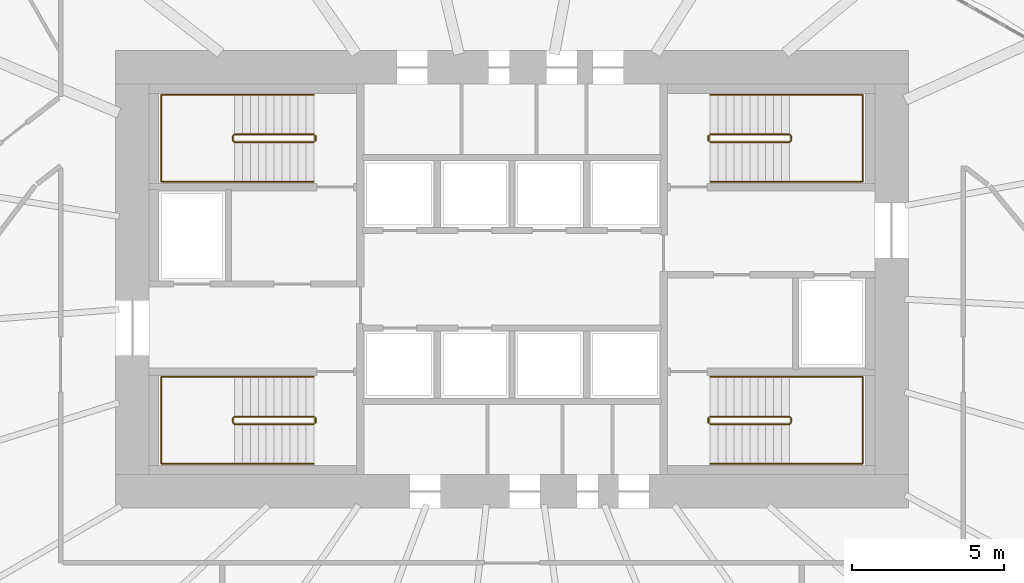
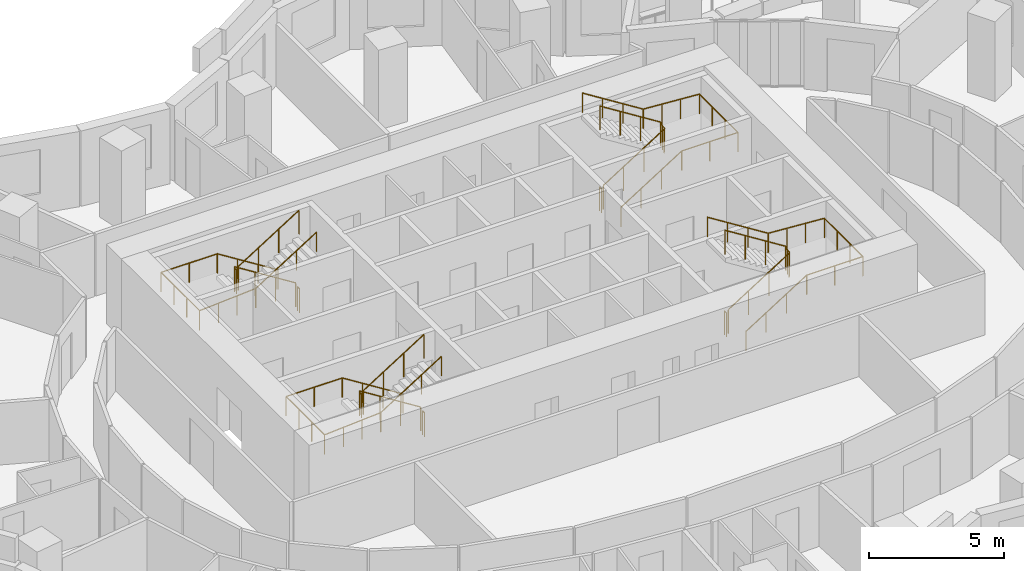
# One storey, part 13 of 14: 12 railings.
"""IFC4 building model written with IfcOpenShell, lengths in metres."""

from ifc_helpers import new_model, si_unit, direction, frame, origin, origin_2d, place, context, subcontext, project, spatial, circle, extrude, material, type_object, element, save


model = new_model("IFC4")

# Units and contexts
model_context = context("Model", 3, precision=1e-05, world=origin(), true_north=direction((0.0, 1.0)))
body_context = subcontext(model_context, "Body", "Model", "MODEL_VIEW")
ifc_project = project(units=[si_unit("LENGTHUNIT", "METRE"), si_unit("AREAUNIT", "SQUARE_METRE"), si_unit("VOLUMEUNIT", "CUBIC_METRE"), si_unit("PLANEANGLEUNIT", "RADIAN"), si_unit("MASSUNIT", "GRAM", prefix="KILO")], contexts=[model_context])

# Site, building, storey
site_placement = place(None, origin())
site = spatial("IfcSite", under=ifc_project, at=site_placement, CompositionType="ELEMENT")
building_placement = place(site_placement, origin())
building = spatial("IfcBuilding", under=site, at=building_placement, Name="Rubra Terraces Tower", CompositionType="ELEMENT")
storey_placement = place(building_placement, frame((0.0, 0.0, 103.199951171875)))
storey = spatial("IfcBuildingStorey", under=building, at=storey_placement, Name="L24", CompositionType="ELEMENT", Elevation=103.199951171875)

# Railings
ifc_material = material(Name="Stainless steel", Category="steel")
railing_type_1 = type_object("IfcRailingType", Name="Core stair guard 1100", PredefinedType="GUARDRAIL", material=ifc_material)
railing_1_placement = place(storey_placement, frame((-6.5, 0.0, 0.16357421875)))
element("IfcRailing", 1, at=railing_1_placement, inside=storey, type_object=railing_type_1, Name="L24 stair S1 guard 1", PredefinedType="GUARDRAIL", context=body_context, shape_type="SweptSolid", body=[
    extrude(circle(Radius=0.02392578125, at=origin_2d()), frame((0.0, 0.0, 1.076171875), z_axis=(-0.846324394277, 0.0, 0.532667832379), x_axis=(0.0, -1.0, 0.0)), (0.0, 0.0, 1.0), 3.072265625),
    extrude(circle(Radius=0.02392578125, at=origin_2d()), frame((-2.60009765625, 0.0, 2.71240234375), z_axis=(-0.705375805398, -0.708833529934, 0.0), x_axis=(0.708833529934, -0.705375805398, 0.0)), (0.0, 0.0, 1.0), 0.070556640625),
    extrude(circle(Radius=0.02392578125, at=origin_2d()), frame((-2.64990234375, -0.050048828125, 2.71240234375), z_axis=(0.0, -1.0, 0.0), x_axis=(1.0, 0.0, 0.0)), (0.0, 0.0, 1.0), 0.14990234375),
    extrude(circle(Radius=0.02392578125, at=origin_2d()), frame((-2.64990234375, -0.199951171875, 2.71240234375), z_axis=(0.279546231943, -0.280916556609, 0.91811752648), x_axis=(0.708833529934, 0.705375805398, 0.0)), (0.0, 0.0, 1.0), 0.17822265625),
    extrude(circle(Radius=0.02392578125, at=origin_2d()), frame((-2.60009765625, -0.25, 2.8759765625), z_axis=(0.846324394277, 0.0, 0.532667832379), x_axis=(0.0, 1.0, 0.0)), (0.0, 0.0, 1.0), 3.072265625),
    extrude(circle(Radius=0.02099609375, at=origin_2d()), origin(), (0.0, 0.0, 1.0), 1.052001953125),
    extrude(circle(Radius=0.02099609375, at=origin_2d()), frame((-0.86669921875, 0.0, 0.54541015625)), (0.0, 0.0, 1.0), 1.052001953125),
    extrude(circle(Radius=0.02099609375, at=origin_2d()), frame((-1.7333984375, 0.0, 1.091064453125)), (0.0, 0.0, 1.0), 1.052001953125),
    extrude(circle(Radius=0.02099609375, at=origin_2d()), frame((-2.60009765625, 0.0, 1.636474609375)), (0.0, 0.0, 1.0), 1.052001953125),
    extrude(circle(Radius=0.02099609375, at=origin_2d()), frame((-2.64990234375, -0.050048828125, 1.636474609375)), (0.0, 0.0, 1.0), 1.052001953125),
    extrude(circle(Radius=0.02099609375, at=origin_2d()), frame((-2.64990234375, -0.199951171875, 1.636474609375)), (0.0, 0.0, 1.0), 1.052001953125),
    extrude(circle(Radius=0.02099609375, at=origin_2d()), frame((-2.60009765625, -0.25, 1.800048828125)), (0.0, 0.0, 1.0), 1.052001953125),
    extrude(circle(Radius=0.02099609375, at=origin_2d()), frame((-1.7333984375, -0.25, 2.345458984375)), (0.0, 0.0, 1.0), 1.052001953125),
    extrude(circle(Radius=0.02099609375, at=origin_2d()), frame((-0.86669921875, -0.25, 2.89111328125)), (0.0, 0.0, 1.0), 1.052001953125),
    extrude(circle(Radius=0.02099609375, at=origin_2d()), frame((0.0, -0.25, 3.4365234375)), (0.0, 0.0, 1.0), 1.052001953125),
])
railing_2_placement = place(storey_placement, frame((-6.449951171875, -0.050048828125, 0.0)))
element("IfcRailing", 2, at=railing_2_placement, inside=storey, type_object=railing_type_1, Name="L24 stair S1 guard 2", PredefinedType="GUARDRAIL", context=body_context, shape_type="SweptSolid", body=[
    extrude(circle(Radius=0.02392578125, at=origin_2d()), frame((0.0, 0.0, 1.076171875), z_axis=(0.0, -1.0, 0.0), x_axis=(1.0, 0.0, 0.0)), (0.0, 0.0, 1.0), 0.14990234375),
    extrude(circle(Radius=0.02099609375, at=origin_2d()), origin(), (0.0, 0.0, 1.0), 1.052001953125),
    extrude(circle(Radius=0.02099609375, at=origin_2d()), frame((0.0, -0.14990234375, 0.0)), (0.0, 0.0, 1.0), 1.052001953125),
])
railing_3_placement = place(storey_placement, frame((-6.5, 9.25, 0.16357421875)))
element("IfcRailing", 3, at=railing_3_placement, inside=storey, type_object=railing_type_1, Name="L24 stair S2 guard 1", PredefinedType="GUARDRAIL", context=body_context, shape_type="SweptSolid", body=[
    extrude(circle(Radius=0.02392578125, at=origin_2d()), frame((0.0, 0.0, 1.076171875), z_axis=(-0.846324394277, 0.0, 0.532667832379), x_axis=(0.0, -1.0, 0.0)), (0.0, 0.0, 1.0), 3.072265625),
    extrude(circle(Radius=0.02392578125, at=origin_2d()), frame((-2.60009765625, 0.0, 2.71240234375), z_axis=(-0.705375805398, -0.708833529934, 0.0), x_axis=(0.708833529934, -0.705375805398, 0.0)), (0.0, 0.0, 1.0), 0.070556640625),
    extrude(circle(Radius=0.02392578125, at=origin_2d()), frame((-2.64990234375, -0.050048828125, 2.71240234375), z_axis=(0.0, -1.0, 0.0), x_axis=(1.0, 0.0, 0.0)), (0.0, 0.0, 1.0), 0.14990234375),
    extrude(circle(Radius=0.02392578125, at=origin_2d()), frame((-2.64990234375, -0.199951171875, 2.71240234375), z_axis=(0.279546231943, -0.280916556609, 0.91811752648), x_axis=(0.708833529934, 0.705375805398, 0.0)), (0.0, 0.0, 1.0), 0.17822265625),
    extrude(circle(Radius=0.02392578125, at=origin_2d()), frame((-2.60009765625, -0.25, 2.8759765625), z_axis=(0.846324394277, 0.0, 0.532667832379), x_axis=(0.0, 1.0, 0.0)), (0.0, 0.0, 1.0), 3.072265625),
    extrude(circle(Radius=0.02099609375, at=origin_2d()), origin(), (0.0, 0.0, 1.0), 1.052001953125),
    extrude(circle(Radius=0.02099609375, at=origin_2d()), frame((-0.86669921875, 0.0, 0.54541015625)), (0.0, 0.0, 1.0), 1.052001953125),
    extrude(circle(Radius=0.02099609375, at=origin_2d()), frame((-1.7333984375, 0.0, 1.091064453125)), (0.0, 0.0, 1.0), 1.052001953125),
    extrude(circle(Radius=0.02099609375, at=origin_2d()), frame((-2.60009765625, 0.0, 1.636474609375)), (0.0, 0.0, 1.0), 1.052001953125),
    extrude(circle(Radius=0.02099609375, at=origin_2d()), frame((-2.64990234375, -0.050048828125, 1.636474609375)), (0.0, 0.0, 1.0), 1.052001953125),
    extrude(circle(Radius=0.02099609375, at=origin_2d()), frame((-2.64990234375, -0.199951171875, 1.636474609375)), (0.0, 0.0, 1.0), 1.052001953125),
    extrude(circle(Radius=0.02099609375, at=origin_2d()), frame((-2.60009765625, -0.25, 1.800048828125)), (0.0, 0.0, 1.0), 1.052001953125),
    extrude(circle(Radius=0.02099609375, at=origin_2d()), frame((-1.7333984375, -0.25, 2.345458984375)), (0.0, 0.0, 1.0), 1.052001953125),
    extrude(circle(Radius=0.02099609375, at=origin_2d()), frame((-0.86669921875, -0.25, 2.89111328125)), (0.0, 0.0, 1.0), 1.052001953125),
    extrude(circle(Radius=0.02099609375, at=origin_2d()), frame((0.0, -0.25, 3.4365234375)), (0.0, 0.0, 1.0), 1.052001953125),
])
railing_4_placement = place(storey_placement, frame((-6.449951171875, 9.199951171875, 0.0)))
element("IfcRailing", 4, at=railing_4_placement, inside=storey, type_object=railing_type_1, Name="L24 stair S2 guard 2", PredefinedType="GUARDRAIL", context=body_context, shape_type="SweptSolid", body=[
    extrude(circle(Radius=0.02392578125, at=origin_2d()), frame((0.0, 0.0, 1.076171875), z_axis=(0.0, -1.0, 0.0), x_axis=(1.0, 0.0, 0.0)), (0.0, 0.0, 1.0), 0.14990234375),
    extrude(circle(Radius=0.02099609375, at=origin_2d()), origin(), (0.0, 0.0, 1.0), 1.052001953125),
    extrude(circle(Radius=0.02099609375, at=origin_2d()), frame((0.0, -0.14990234375, 0.0)), (0.0, 0.0, 1.0), 1.052001953125),
])
railing_5_placement = place(storey_placement, frame((6.5, 9.0, 0.16357421875)))
element("IfcRailing", 5, at=railing_5_placement, inside=storey, type_object=railing_type_1, Name="L24 stair S3 guard 1", PredefinedType="GUARDRAIL", context=body_context, shape_type="SweptSolid", body=[
    extrude(circle(Radius=0.02392578125, at=origin_2d()), frame((0.0, 0.0, 1.076171875), z_axis=(0.846324394277, 0.0, 0.532667832379), x_axis=(0.0, 1.0, 0.0)), (0.0, 0.0, 1.0), 3.072265625),
    extrude(circle(Radius=0.02392578125, at=origin_2d()), frame((2.60009765625, 0.0, 2.71240234375), z_axis=(0.705375805398, 0.708833529934, 0.0), x_axis=(-0.708833529934, 0.705375805398, 0.0)), (0.0, 0.0, 1.0), 0.070556640625),
    extrude(circle(Radius=0.02392578125, at=origin_2d()), frame((2.64990234375, 0.050048828125, 2.71240234375), z_axis=(0.0, 1.0, 0.0), x_axis=(-1.0, 0.0, 0.0)), (0.0, 0.0, 1.0), 0.14990234375),
    extrude(circle(Radius=0.02392578125, at=origin_2d()), frame((2.64990234375, 0.199951171875, 2.71240234375), z_axis=(-0.279546231943, 0.280916556609, 0.91811752648), x_axis=(-0.708833529934, -0.705375805398, 0.0)), (0.0, 0.0, 1.0), 0.17822265625),
    extrude(circle(Radius=0.02392578125, at=origin_2d()), frame((2.60009765625, 0.25, 2.8759765625), z_axis=(-0.846324394277, 0.0, 0.532667832379), x_axis=(0.0, -1.0, 0.0)), (0.0, 0.0, 1.0), 3.072265625),
    extrude(circle(Radius=0.02099609375, at=origin_2d()), origin(), (0.0, 0.0, 1.0), 1.052001953125),
    extrude(circle(Radius=0.02099609375, at=origin_2d()), frame((0.86669921875, 0.0, 0.54541015625)), (0.0, 0.0, 1.0), 1.052001953125),
    extrude(circle(Radius=0.02099609375, at=origin_2d()), frame((1.7333984375, 0.0, 1.091064453125)), (0.0, 0.0, 1.0), 1.052001953125),
    extrude(circle(Radius=0.02099609375, at=origin_2d()), frame((2.60009765625, 0.0, 1.636474609375)), (0.0, 0.0, 1.0), 1.052001953125),
    extrude(circle(Radius=0.02099609375, at=origin_2d()), frame((2.64990234375, 0.050048828125, 1.636474609375)), (0.0, 0.0, 1.0), 1.052001953125),
    extrude(circle(Radius=0.02099609375, at=origin_2d()), frame((2.64990234375, 0.199951171875, 1.636474609375)), (0.0, 0.0, 1.0), 1.052001953125),
    extrude(circle(Radius=0.02099609375, at=origin_2d()), frame((2.60009765625, 0.25, 1.800048828125)), (0.0, 0.0, 1.0), 1.052001953125),
    extrude(circle(Radius=0.02099609375, at=origin_2d()), frame((1.7333984375, 0.25, 2.345458984375)), (0.0, 0.0, 1.0), 1.052001953125),
    extrude(circle(Radius=0.02099609375, at=origin_2d()), frame((0.86669921875, 0.25, 2.89111328125)), (0.0, 0.0, 1.0), 1.052001953125),
    extrude(circle(Radius=0.02099609375, at=origin_2d()), frame((0.0, 0.25, 3.4365234375)), (0.0, 0.0, 1.0), 1.052001953125),
])
railing_6_placement = place(storey_placement, frame((6.449951171875, 9.050048828125, 0.0)))
element("IfcRailing", 6, at=railing_6_placement, inside=storey, type_object=railing_type_1, Name="L24 stair S3 guard 2", PredefinedType="GUARDRAIL", context=body_context, shape_type="SweptSolid", body=[
    extrude(circle(Radius=0.02392578125, at=origin_2d()), frame((0.0, 0.0, 1.076171875), z_axis=(0.0, 1.0, 0.0), x_axis=(-1.0, 0.0, 0.0)), (0.0, 0.0, 1.0), 0.14990234375),
    extrude(circle(Radius=0.02099609375, at=origin_2d()), origin(), (0.0, 0.0, 1.0), 1.052001953125),
    extrude(circle(Radius=0.02099609375, at=origin_2d()), frame((0.0, 0.14990234375, 0.0)), (0.0, 0.0, 1.0), 1.052001953125),
])
railing_7_placement = place(storey_placement, frame((6.5, -0.25, 0.16357421875)))
element("IfcRailing", 7, at=railing_7_placement, inside=storey, type_object=railing_type_1, Name="L24 stair S4 guard 1", PredefinedType="GUARDRAIL", context=body_context, shape_type="SweptSolid", body=[
    extrude(circle(Radius=0.02392578125, at=origin_2d()), frame((0.0, 0.0, 1.076171875), z_axis=(0.846324394277, 0.0, 0.532667832379), x_axis=(0.0, 1.0, 0.0)), (0.0, 0.0, 1.0), 3.072265625),
    extrude(circle(Radius=0.02392578125, at=origin_2d()), frame((2.60009765625, 0.0, 2.71240234375), z_axis=(0.705375805398, 0.708833529934, 0.0), x_axis=(-0.708833529934, 0.705375805398, 0.0)), (0.0, 0.0, 1.0), 0.070556640625),
    extrude(circle(Radius=0.02392578125, at=origin_2d()), frame((2.64990234375, 0.050048828125, 2.71240234375), z_axis=(0.0, 1.0, 0.0), x_axis=(-1.0, 0.0, 0.0)), (0.0, 0.0, 1.0), 0.14990234375),
    extrude(circle(Radius=0.02392578125, at=origin_2d()), frame((2.64990234375, 0.199951171875, 2.71240234375), z_axis=(-0.279546231943, 0.280916556609, 0.91811752648), x_axis=(-0.708833529934, -0.705375805398, 0.0)), (0.0, 0.0, 1.0), 0.17822265625),
    extrude(circle(Radius=0.02392578125, at=origin_2d()), frame((2.60009765625, 0.25, 2.8759765625), z_axis=(-0.846324394277, 0.0, 0.532667832379), x_axis=(0.0, -1.0, 0.0)), (0.0, 0.0, 1.0), 3.072265625),
    extrude(circle(Radius=0.02099609375, at=origin_2d()), origin(), (0.0, 0.0, 1.0), 1.052001953125),
    extrude(circle(Radius=0.02099609375, at=origin_2d()), frame((0.86669921875, 0.0, 0.54541015625)), (0.0, 0.0, 1.0), 1.052001953125),
    extrude(circle(Radius=0.02099609375, at=origin_2d()), frame((1.7333984375, 0.0, 1.091064453125)), (0.0, 0.0, 1.0), 1.052001953125),
    extrude(circle(Radius=0.02099609375, at=origin_2d()), frame((2.60009765625, 0.0, 1.636474609375)), (0.0, 0.0, 1.0), 1.052001953125),
    extrude(circle(Radius=0.02099609375, at=origin_2d()), frame((2.64990234375, 0.050048828125, 1.636474609375)), (0.0, 0.0, 1.0), 1.052001953125),
    extrude(circle(Radius=0.02099609375, at=origin_2d()), frame((2.64990234375, 0.199951171875, 1.636474609375)), (0.0, 0.0, 1.0), 1.052001953125),
    extrude(circle(Radius=0.02099609375, at=origin_2d()), frame((2.60009765625, 0.25, 1.800048828125)), (0.0, 0.0, 1.0), 1.052001953125),
    extrude(circle(Radius=0.02099609375, at=origin_2d()), frame((1.7333984375, 0.25, 2.345458984375)), (0.0, 0.0, 1.0), 1.052001953125),
    extrude(circle(Radius=0.02099609375, at=origin_2d()), frame((0.86669921875, 0.25, 2.89111328125)), (0.0, 0.0, 1.0), 1.052001953125),
    extrude(circle(Radius=0.02099609375, at=origin_2d()), frame((0.0, 0.25, 3.4365234375)), (0.0, 0.0, 1.0), 1.052001953125),
])
railing_8_placement = place(storey_placement, frame((6.449951171875, -0.199951171875, 0.0)))
element("IfcRailing", 8, at=railing_8_placement, inside=storey, type_object=railing_type_1, Name="L24 stair S4 guard 2", PredefinedType="GUARDRAIL", context=body_context, shape_type="SweptSolid", body=[
    extrude(circle(Radius=0.02392578125, at=origin_2d()), frame((0.0, 0.0, 1.076171875), z_axis=(0.0, 1.0, 0.0), x_axis=(-1.0, 0.0, 0.0)), (0.0, 0.0, 1.0), 0.14990234375),
    extrude(circle(Radius=0.02099609375, at=origin_2d()), origin(), (0.0, 0.0, 1.0), 1.052001953125),
    extrude(circle(Radius=0.02099609375, at=origin_2d()), frame((0.0, 0.14990234375, 0.0)), (0.0, 0.0, 1.0), 1.052001953125),
])
railing_type_2 = type_object("IfcRailingType", Name="Core stair handrail 900", PredefinedType="HANDRAIL", material=ifc_material)
railing_9_placement = place(storey_placement, frame((-6.5, 1.300048828125, 0.16357421875)))
element("IfcRailing", 9, at=railing_9_placement, inside=storey, type_object=railing_type_2, Name="L24 stair S1 handrail 1", PredefinedType="HANDRAIL", context=body_context, shape_type="SweptSolid", body=[
    extrude(circle(Radius=0.02392578125, at=origin_2d()), frame((0.0, 0.0, 0.8759765625), z_axis=(-0.846324394277, 0.0, 0.532667832379), x_axis=(0.0, -1.0, 0.0)), (0.0, 0.0, 1.0), 3.072265625),
    extrude(circle(Radius=0.02392578125, at=origin_2d()), frame((-2.60009765625, 0.0, 2.51220703125), z_axis=(-1.0, 0.0, 0.0), x_axis=(0.0, -1.0, 0.0)), (0.0, 0.0, 1.0), 2.39990234375),
    extrude(circle(Radius=0.02392578125, at=origin_2d()), frame((-5.0, 0.0, 2.51220703125), z_axis=(0.0, -1.0, 0.0), x_axis=(1.0, 0.0, 0.0)), (0.0, 0.0, 1.0), 2.85009765625),
    extrude(circle(Radius=0.02392578125, at=origin_2d()), frame((-5.0, -2.85009765625, 2.51220703125), z_axis=(0.997685257876, 0.0, 0.068000928055), x_axis=(0.0, 1.0, 0.0)), (0.0, 0.0, 1.0), 2.405517578125),
    extrude(circle(Radius=0.02392578125, at=origin_2d()), frame((-2.60009765625, -2.85009765625, 2.67578125), z_axis=(0.846324394277, 0.0, 0.532667832379), x_axis=(0.0, 1.0, 0.0)), (0.0, 0.0, 1.0), 3.072265625),
    extrude(circle(Radius=0.02099609375, at=origin_2d()), origin(), (0.0, 0.0, 1.0), 0.851806640625),
    extrude(circle(Radius=0.02099609375, at=origin_2d()), frame((-0.86669921875, 0.0, 0.54541015625)), (0.0, 0.0, 1.0), 0.851806640625),
    extrude(circle(Radius=0.02099609375, at=origin_2d()), frame((-1.7333984375, 0.0, 1.091064453125)), (0.0, 0.0, 1.0), 0.851806640625),
    extrude(circle(Radius=0.02099609375, at=origin_2d()), frame((-2.60009765625, 0.0, 1.636474609375)), (0.0, 0.0, 1.0), 0.851806640625),
    extrude(circle(Radius=0.02099609375, at=origin_2d()), frame((-3.800048828125, 0.0, 1.636474609375)), (0.0, 0.0, 1.0), 0.851806640625),
    extrude(circle(Radius=0.02099609375, at=origin_2d()), frame((-5.0, 0.0, 1.636474609375)), (0.0, 0.0, 1.0), 0.851806640625),
    extrude(circle(Radius=0.02099609375, at=origin_2d()), frame((-5.0, -0.949951171875, 1.636474609375)), (0.0, 0.0, 1.0), 0.851806640625),
    extrude(circle(Radius=0.02099609375, at=origin_2d()), frame((-5.0, -1.900146484375, 1.636474609375)), (0.0, 0.0, 1.0), 0.851806640625),
    extrude(circle(Radius=0.02099609375, at=origin_2d()), frame((-5.0, -2.85009765625, 1.636474609375)), (0.0, 0.0, 1.0), 0.851806640625),
    extrude(circle(Radius=0.02099609375, at=origin_2d()), frame((-4.199951171875, -2.85009765625, 1.69091796875)), (0.0, 0.0, 1.0), 0.851806640625),
    extrude(circle(Radius=0.02099609375, at=origin_2d()), frame((-3.400146484375, -2.85009765625, 1.74560546875)), (0.0, 0.0, 1.0), 0.851806640625),
    extrude(circle(Radius=0.02099609375, at=origin_2d()), frame((-2.60009765625, -2.85009765625, 1.800048828125)), (0.0, 0.0, 1.0), 0.851806640625),
    extrude(circle(Radius=0.02099609375, at=origin_2d()), frame((-1.7333984375, -2.85009765625, 2.345458984375)), (0.0, 0.0, 1.0), 0.851806640625),
    extrude(circle(Radius=0.02099609375, at=origin_2d()), frame((-0.86669921875, -2.85009765625, 2.89111328125)), (0.0, 0.0, 1.0), 0.851806640625),
    extrude(circle(Radius=0.02099609375, at=origin_2d()), frame((0.0, -2.85009765625, 3.4365234375)), (0.0, 0.0, 1.0), 0.851806640625),
])
railing_10_placement = place(storey_placement, frame((-6.5, 10.550048828125, 0.16357421875)))
element("IfcRailing", 10, at=railing_10_placement, inside=storey, type_object=railing_type_2, Name="L24 stair S2 handrail 1", PredefinedType="HANDRAIL", context=body_context, shape_type="SweptSolid", body=[
    extrude(circle(Radius=0.02392578125, at=origin_2d()), frame((0.0, 0.0, 0.8759765625), z_axis=(-0.846324394277, 0.0, 0.532667832379), x_axis=(0.0, -1.0, 0.0)), (0.0, 0.0, 1.0), 3.072265625),
    extrude(circle(Radius=0.02392578125, at=origin_2d()), frame((-2.60009765625, 0.0, 2.51220703125), z_axis=(-1.0, 0.0, 0.0), x_axis=(0.0, -1.0, 0.0)), (0.0, 0.0, 1.0), 2.39990234375),
    extrude(circle(Radius=0.02392578125, at=origin_2d()), frame((-5.0, 0.0, 2.51220703125), z_axis=(0.0, -1.0, 0.0), x_axis=(1.0, 0.0, 0.0)), (0.0, 0.0, 1.0), 2.85009765625),
    extrude(circle(Radius=0.02392578125, at=origin_2d()), frame((-5.0, -2.85009765625, 2.51220703125), z_axis=(0.997685257876, 0.0, 0.068000928055), x_axis=(0.0, 1.0, 0.0)), (0.0, 0.0, 1.0), 2.405517578125),
    extrude(circle(Radius=0.02392578125, at=origin_2d()), frame((-2.60009765625, -2.85009765625, 2.67578125), z_axis=(0.846324394277, 0.0, 0.532667832379), x_axis=(0.0, 1.0, 0.0)), (0.0, 0.0, 1.0), 3.072265625),
    extrude(circle(Radius=0.02099609375, at=origin_2d()), origin(), (0.0, 0.0, 1.0), 0.851806640625),
    extrude(circle(Radius=0.02099609375, at=origin_2d()), frame((-0.86669921875, 0.0, 0.54541015625)), (0.0, 0.0, 1.0), 0.851806640625),
    extrude(circle(Radius=0.02099609375, at=origin_2d()), frame((-1.7333984375, 0.0, 1.091064453125)), (0.0, 0.0, 1.0), 0.851806640625),
    extrude(circle(Radius=0.02099609375, at=origin_2d()), frame((-2.60009765625, 0.0, 1.636474609375)), (0.0, 0.0, 1.0), 0.851806640625),
    extrude(circle(Radius=0.02099609375, at=origin_2d()), frame((-3.800048828125, 0.0, 1.636474609375)), (0.0, 0.0, 1.0), 0.851806640625),
    extrude(circle(Radius=0.02099609375, at=origin_2d()), frame((-5.0, 0.0, 1.636474609375)), (0.0, 0.0, 1.0), 0.851806640625),
    extrude(circle(Radius=0.02099609375, at=origin_2d()), frame((-5.0, -0.949951171875, 1.636474609375)), (0.0, 0.0, 1.0), 0.851806640625),
    extrude(circle(Radius=0.02099609375, at=origin_2d()), frame((-5.0, -1.900146484375, 1.636474609375)), (0.0, 0.0, 1.0), 0.851806640625),
    extrude(circle(Radius=0.02099609375, at=origin_2d()), frame((-5.0, -2.85009765625, 1.636474609375)), (0.0, 0.0, 1.0), 0.851806640625),
    extrude(circle(Radius=0.02099609375, at=origin_2d()), frame((-4.199951171875, -2.85009765625, 1.69091796875)), (0.0, 0.0, 1.0), 0.851806640625),
    extrude(circle(Radius=0.02099609375, at=origin_2d()), frame((-3.400146484375, -2.85009765625, 1.74560546875)), (0.0, 0.0, 1.0), 0.851806640625),
    extrude(circle(Radius=0.02099609375, at=origin_2d()), frame((-2.60009765625, -2.85009765625, 1.800048828125)), (0.0, 0.0, 1.0), 0.851806640625),
    extrude(circle(Radius=0.02099609375, at=origin_2d()), frame((-1.7333984375, -2.85009765625, 2.345458984375)), (0.0, 0.0, 1.0), 0.851806640625),
    extrude(circle(Radius=0.02099609375, at=origin_2d()), frame((-0.86669921875, -2.85009765625, 2.89111328125)), (0.0, 0.0, 1.0), 0.851806640625),
    extrude(circle(Radius=0.02099609375, at=origin_2d()), frame((0.0, -2.85009765625, 3.4365234375)), (0.0, 0.0, 1.0), 0.851806640625),
])
railing_11_placement = place(storey_placement, frame((6.5, 7.699951171875, 0.16357421875)))
element("IfcRailing", 11, at=railing_11_placement, inside=storey, type_object=railing_type_2, Name="L24 stair S3 handrail 1", PredefinedType="HANDRAIL", context=body_context, shape_type="SweptSolid", body=[
    extrude(circle(Radius=0.02392578125, at=origin_2d()), frame((0.0, 0.0, 0.8759765625), z_axis=(0.846324394277, 0.0, 0.532667832379), x_axis=(0.0, 1.0, 0.0)), (0.0, 0.0, 1.0), 3.072265625),
    extrude(circle(Radius=0.02392578125, at=origin_2d()), frame((2.60009765625, 0.0, 2.51220703125), z_axis=(1.0, 0.0, 0.0), x_axis=(0.0, 1.0, 0.0)), (0.0, 0.0, 1.0), 2.39990234375),
    extrude(circle(Radius=0.02392578125, at=origin_2d()), frame((5.0, 0.0, 2.51220703125), z_axis=(0.0, 1.0, 0.0), x_axis=(-1.0, 0.0, 0.0)), (0.0, 0.0, 1.0), 2.85009765625),
    extrude(circle(Radius=0.02392578125, at=origin_2d()), frame((5.0, 2.85009765625, 2.51220703125), z_axis=(-0.997685257876, 0.0, 0.068000928055), x_axis=(0.0, -1.0, 0.0)), (0.0, 0.0, 1.0), 2.405517578125),
    extrude(circle(Radius=0.02392578125, at=origin_2d()), frame((2.60009765625, 2.85009765625, 2.67578125), z_axis=(-0.846324394277, 0.0, 0.532667832379), x_axis=(0.0, -1.0, 0.0)), (0.0, 0.0, 1.0), 3.072265625),
    extrude(circle(Radius=0.02099609375, at=origin_2d()), origin(), (0.0, 0.0, 1.0), 0.851806640625),
    extrude(circle(Radius=0.02099609375, at=origin_2d()), frame((0.86669921875, 0.0, 0.54541015625)), (0.0, 0.0, 1.0), 0.851806640625),
    extrude(circle(Radius=0.02099609375, at=origin_2d()), frame((1.7333984375, 0.0, 1.091064453125)), (0.0, 0.0, 1.0), 0.851806640625),
    extrude(circle(Radius=0.02099609375, at=origin_2d()), frame((2.60009765625, 0.0, 1.636474609375)), (0.0, 0.0, 1.0), 0.851806640625),
    extrude(circle(Radius=0.02099609375, at=origin_2d()), frame((3.800048828125, 0.0, 1.636474609375)), (0.0, 0.0, 1.0), 0.851806640625),
    extrude(circle(Radius=0.02099609375, at=origin_2d()), frame((5.0, 0.0, 1.636474609375)), (0.0, 0.0, 1.0), 0.851806640625),
    extrude(circle(Radius=0.02099609375, at=origin_2d()), frame((5.0, 0.949951171875, 1.636474609375)), (0.0, 0.0, 1.0), 0.851806640625),
    extrude(circle(Radius=0.02099609375, at=origin_2d()), frame((5.0, 1.900146484375, 1.636474609375)), (0.0, 0.0, 1.0), 0.851806640625),
    extrude(circle(Radius=0.02099609375, at=origin_2d()), frame((5.0, 2.85009765625, 1.636474609375)), (0.0, 0.0, 1.0), 0.851806640625),
    extrude(circle(Radius=0.02099609375, at=origin_2d()), frame((4.199951171875, 2.85009765625, 1.69091796875)), (0.0, 0.0, 1.0), 0.851806640625),
    extrude(circle(Radius=0.02099609375, at=origin_2d()), frame((3.400146484375, 2.85009765625, 1.74560546875)), (0.0, 0.0, 1.0), 0.851806640625),
    extrude(circle(Radius=0.02099609375, at=origin_2d()), frame((2.60009765625, 2.85009765625, 1.800048828125)), (0.0, 0.0, 1.0), 0.851806640625),
    extrude(circle(Radius=0.02099609375, at=origin_2d()), frame((1.7333984375, 2.85009765625, 2.345458984375)), (0.0, 0.0, 1.0), 0.851806640625),
    extrude(circle(Radius=0.02099609375, at=origin_2d()), frame((0.86669921875, 2.85009765625, 2.89111328125)), (0.0, 0.0, 1.0), 0.851806640625),
    extrude(circle(Radius=0.02099609375, at=origin_2d()), frame((0.0, 2.85009765625, 3.4365234375)), (0.0, 0.0, 1.0), 0.851806640625),
])
railing_12_placement = place(storey_placement, frame((6.5, -1.550048828125, 0.16357421875)))
element("IfcRailing", 12, at=railing_12_placement, inside=storey, type_object=railing_type_2, Name="L24 stair S4 handrail 1", PredefinedType="HANDRAIL", context=body_context, shape_type="SweptSolid", body=[
    extrude(circle(Radius=0.02392578125, at=origin_2d()), frame((0.0, 0.0, 0.8759765625), z_axis=(0.846324394277, 0.0, 0.532667832379), x_axis=(0.0, 1.0, 0.0)), (0.0, 0.0, 1.0), 3.072265625),
    extrude(circle(Radius=0.02392578125, at=origin_2d()), frame((2.60009765625, 0.0, 2.51220703125), z_axis=(1.0, 0.0, 0.0), x_axis=(0.0, 1.0, 0.0)), (0.0, 0.0, 1.0), 2.39990234375),
    extrude(circle(Radius=0.02392578125, at=origin_2d()), frame((5.0, 0.0, 2.51220703125), z_axis=(0.0, 1.0, 0.0), x_axis=(-1.0, 0.0, 0.0)), (0.0, 0.0, 1.0), 2.85009765625),
    extrude(circle(Radius=0.02392578125, at=origin_2d()), frame((5.0, 2.85009765625, 2.51220703125), z_axis=(-0.997685257876, 0.0, 0.068000928055), x_axis=(0.0, -1.0, 0.0)), (0.0, 0.0, 1.0), 2.405517578125),
    extrude(circle(Radius=0.02392578125, at=origin_2d()), frame((2.60009765625, 2.85009765625, 2.67578125), z_axis=(-0.846324394277, 0.0, 0.532667832379), x_axis=(0.0, -1.0, 0.0)), (0.0, 0.0, 1.0), 3.072265625),
    extrude(circle(Radius=0.02099609375, at=origin_2d()), origin(), (0.0, 0.0, 1.0), 0.851806640625),
    extrude(circle(Radius=0.02099609375, at=origin_2d()), frame((0.86669921875, 0.0, 0.54541015625)), (0.0, 0.0, 1.0), 0.851806640625),
    extrude(circle(Radius=0.02099609375, at=origin_2d()), frame((1.7333984375, 0.0, 1.091064453125)), (0.0, 0.0, 1.0), 0.851806640625),
    extrude(circle(Radius=0.02099609375, at=origin_2d()), frame((2.60009765625, 0.0, 1.636474609375)), (0.0, 0.0, 1.0), 0.851806640625),
    extrude(circle(Radius=0.02099609375, at=origin_2d()), frame((3.800048828125, 0.0, 1.636474609375)), (0.0, 0.0, 1.0), 0.851806640625),
    extrude(circle(Radius=0.02099609375, at=origin_2d()), frame((5.0, 0.0, 1.636474609375)), (0.0, 0.0, 1.0), 0.851806640625),
    extrude(circle(Radius=0.02099609375, at=origin_2d()), frame((5.0, 0.949951171875, 1.636474609375)), (0.0, 0.0, 1.0), 0.851806640625),
    extrude(circle(Radius=0.02099609375, at=origin_2d()), frame((5.0, 1.900146484375, 1.636474609375)), (0.0, 0.0, 1.0), 0.851806640625),
    extrude(circle(Radius=0.02099609375, at=origin_2d()), frame((5.0, 2.85009765625, 1.636474609375)), (0.0, 0.0, 1.0), 0.851806640625),
    extrude(circle(Radius=0.02099609375, at=origin_2d()), frame((4.199951171875, 2.85009765625, 1.69091796875)), (0.0, 0.0, 1.0), 0.851806640625),
    extrude(circle(Radius=0.02099609375, at=origin_2d()), frame((3.400146484375, 2.85009765625, 1.74560546875)), (0.0, 0.0, 1.0), 0.851806640625),
    extrude(circle(Radius=0.02099609375, at=origin_2d()), frame((2.60009765625, 2.85009765625, 1.800048828125)), (0.0, 0.0, 1.0), 0.851806640625),
    extrude(circle(Radius=0.02099609375, at=origin_2d()), frame((1.7333984375, 2.85009765625, 2.345458984375)), (0.0, 0.0, 1.0), 0.851806640625),
    extrude(circle(Radius=0.02099609375, at=origin_2d()), frame((0.86669921875, 2.85009765625, 2.89111328125)), (0.0, 0.0, 1.0), 0.851806640625),
    extrude(circle(Radius=0.02099609375, at=origin_2d()), frame((0.0, 2.85009765625, 3.4365234375)), (0.0, 0.0, 1.0), 0.851806640625),
])

save(model, "model.ifc")
